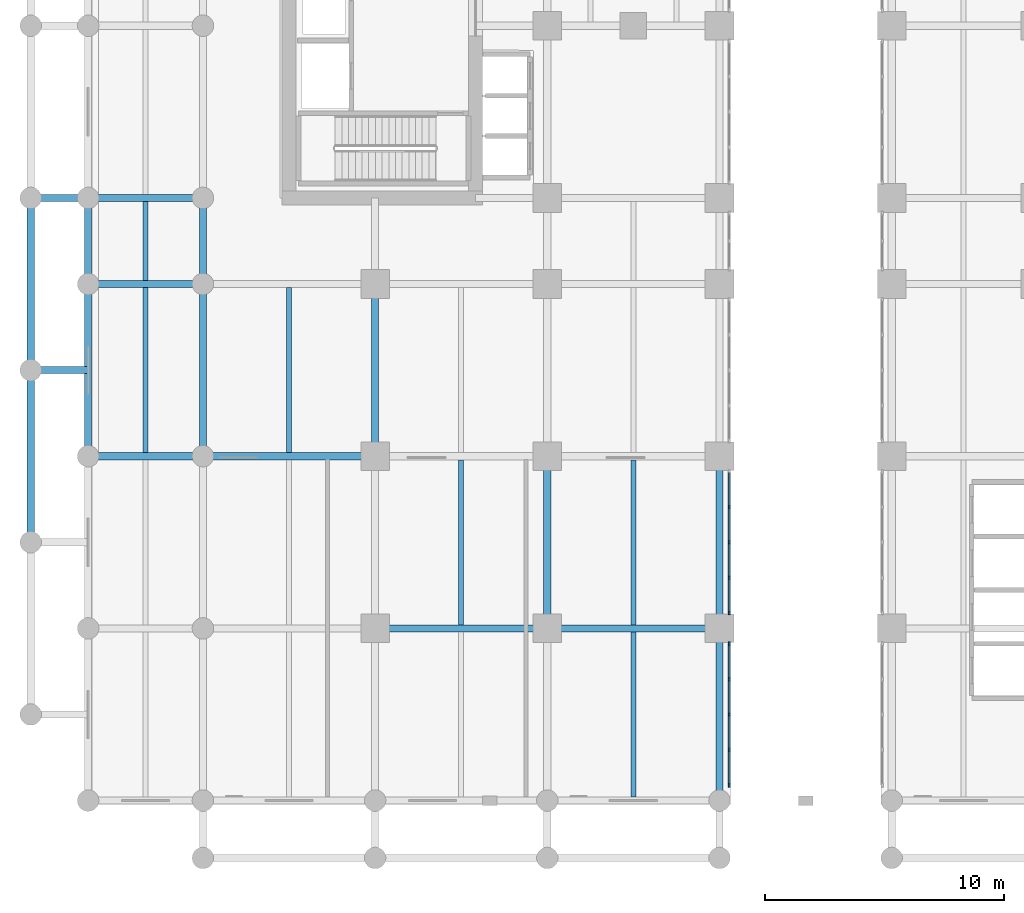
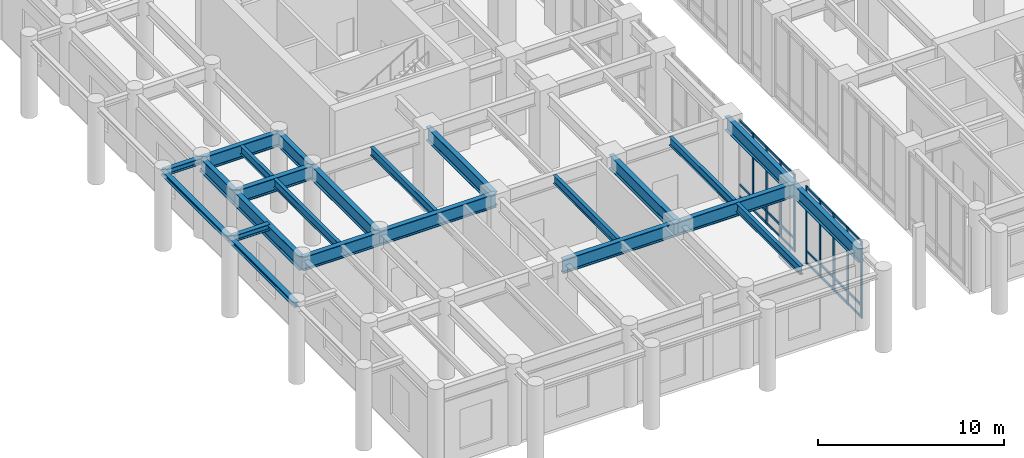
# One storey, part 2 of 23: 33 members, 24 beams, 2 elements without a shape of their own.
"""IFC4 building model written with IfcOpenShell, lengths in metres."""

from ifc_helpers import new_model, si_unit, derived_unit, direction, frame, origin, origin_2d, place, context, subcontext, project, spatial, rectangle, i_section, extrude, source, transform, mapped, material, layer, layer_set, material_profile, profile_set, type_object, type_shapes, element, aggregate, save


model = new_model("IFC4")

# Units and contexts
model_context = context("Model", 3, precision=1e-05, world=origin(), true_north=direction((0.0, 1.0)))
body_context = subcontext(model_context, "Body", "Model", "MODEL_VIEW")
ifc_project = project(units=[si_unit("LENGTHUNIT", "METRE"), si_unit("AREAUNIT", "SQUARE_METRE"), si_unit("VOLUMEUNIT", "CUBIC_METRE"), si_unit("PLANEANGLEUNIT", "RADIAN"), si_unit("MASSUNIT", "GRAM", prefix="KILO"), si_unit("THERMODYNAMICTEMPERATUREUNIT", "KELVIN"), si_unit("POWERUNIT", "WATT"), derived_unit("THERMALTRANSMITTANCEUNIT", [(si_unit("POWERUNIT", "WATT"), 1), (si_unit("AREAUNIT", "SQUARE_METRE"), -1), (si_unit("THERMODYNAMICTEMPERATUREUNIT", "KELVIN"), -1)])], contexts=[model_context])

# Site, building, storey
site_placement = place(None, origin())
site = spatial("IfcSite", under=ifc_project, at=site_placement, CompositionType="ELEMENT")
building_placement = place(site_placement, origin())
building = spatial("IfcBuilding", under=site, at=building_placement, Name="Zahravan Archway Hotel and Residences", CompositionType="ELEMENT")
storey_placement = place(building_placement, frame((0.0, 0.0, 5.39990234375)))
storey = spatial("IfcBuildingStorey", under=building, at=storey_placement, Name="L01", CompositionType="ELEMENT", Elevation=5.39990234375)

# Beams
ifc_material_1 = material(Name="Structural Steel S355J2", Category="steel")
ifc_material_profile_1 = material_profile(ifc_material_1, i_section(OverallWidth=0.300048828125, OverallDepth=0.89990234375, WebThickness=0.0185546875, FlangeThickness=0.034912109375, FilletRadius=0.030029296875, at=origin_2d()), Name="HEB 900", Category="steel")
ifc_profile_set_1 = profile_set([ifc_material_profile_1], Name="Structural Steel S355J2")
beam_type_1 = type_object("IfcBeamType", Name="BM-PRI-HEB900", PredefinedType="BEAM", material=ifc_profile_set_1)
shared_shape_1 = source(origin(), body_context, "Body", "SweptSolid", [
    extrude(i_section(OverallWidth=0.300048828125, OverallDepth=0.89990234375, WebThickness=0.0185546875, FlangeThickness=0.034912109375, FilletRadius=0.030029296875, at=origin_2d()), origin(), (0.0, 0.0, 1.0), 4.800048828125),
])
type_shapes(beam_type_1, [shared_shape_1])
for number, where, z_axis, x_axis, name in (
    (1, (-4.800048828125, 14.39990234375, 4.650146484375), (1.0, 0.0, 0.0), (0.0, 1.0, 0.0), "L01 Primary Girder EW-19"),
    (2, (-4.800048828125, 21.60009765625, 4.650146484375), (1.0, 0.0, 0.0), (0.0, 1.0, 0.0), "L01 Primary Girder EW-27"),
    (3, (-4.800048828125, 25.199951171875, 4.650146484375), (1.0, 0.0, 0.0), (0.0, 1.0, 0.0), "L01 Primary Girder EW-37"),
):
    element("IfcBeam", number, at=place(storey_placement, frame(where, z_axis=z_axis, x_axis=x_axis)), inside=storey, type_object=beam_type_1, Name=name, PredefinedType="BEAM", context=body_context, shape_type="MappedRepresentation", body=[
        mapped(shared_shape_1, transform((0.0, 0.0, 0.0), scale=1.0)),
    ])
shared_shape_2 = source(origin(), body_context, "Body", "SweptSolid", [
    extrude(i_section(OverallWidth=0.300048828125, OverallDepth=0.89990234375, WebThickness=0.0185546875, FlangeThickness=0.034912109375, FilletRadius=0.030029296875, at=origin_2d()), origin(), (0.0, 0.0, 1.0), 7.199951171875),
])
for number, where, z_axis, x_axis, name in (
    (4, (7.199951171875, 7.199951171875, 4.650146484375), (1.0, 0.0, 0.0), (0.0, 1.0, 0.0), "L01 Primary Girder EW-13"),
    (5, (0.0, 14.39990234375, 4.650146484375), (1.0, 0.0, 0.0), (0.0, 1.0, 0.0), "L01 Primary Girder EW-20"),
    (6, (14.39990234375, 7.199951171875, 4.650146484375), (0.0, 1.0, 0.0), (-1.0, 0.0, 0.0), "L01 Primary Girder NS-82"),
    (7, (21.60009765625, 0.0, 4.650146484375), (0.0, 1.0, 0.0), (-1.0, 0.0, 0.0), "L01 Primary Girder NS-88"),
    (8, (21.60009765625, 7.199951171875, 4.650146484375), (0.0, 1.0, 0.0), (-1.0, 0.0, 0.0), "L01 Primary Girder NS-89"),
):
    element("IfcBeam", number, at=place(storey_placement, frame(where, z_axis=z_axis, x_axis=x_axis)), inside=storey, type_object=beam_type_1, Name=name, PredefinedType="BEAM", context=body_context, shape_type="MappedRepresentation", body=[
        mapped(shared_shape_2, transform((0.0, 0.0, 0.0), scale=1.0)),
    ])
shared_shape_3 = source(origin(), body_context, "Body", "SweptSolid", [
    extrude(i_section(OverallWidth=0.300048828125, OverallDepth=0.89990234375, WebThickness=0.0185546875, FlangeThickness=0.034912109375, FilletRadius=0.030029296875, at=origin_2d()), origin(), (0.0, 0.0, 1.0), 7.2001953125),
])
for number, where, z_axis, x_axis, name in (
    (9, (14.39990234375, 7.199951171875, 4.650146484375), (1.0, 0.0, 0.0), (0.0, 1.0, 0.0), "L01 Primary Girder EW-14"),
    (10, (-4.800048828125, 14.39990234375, 4.650146484375), (0.0, 1.0, 0.0), (-1.0, 0.0, 0.0), "L01 Primary Girder NS-64"),
    (11, (0.0, 14.39990234375, 4.650146484375), (0.0, 1.0, 0.0), (-1.0, 0.0, 0.0), "L01 Primary Girder NS-71"),
    (12, (7.199951171875, 14.39990234375, 4.650146484375), (0.0, 1.0, 0.0), (-1.0, 0.0, 0.0), "L01 Primary Girder NS-78"),
):
    element("IfcBeam", number, at=place(storey_placement, frame(where, z_axis=z_axis, x_axis=x_axis)), inside=storey, type_object=beam_type_1, Name=name, PredefinedType="BEAM", context=body_context, shape_type="MappedRepresentation", body=[
        mapped(shared_shape_3, transform((0.0, 0.0, 0.0), scale=1.0)),
    ])
shared_shape_4 = source(origin(), body_context, "Body", "SweptSolid", [
    extrude(i_section(OverallWidth=0.300048828125, OverallDepth=0.89990234375, WebThickness=0.0185546875, FlangeThickness=0.034912109375, FilletRadius=0.030029296875, at=origin_2d()), origin(), (0.0, 0.0, 1.0), 3.599853515625),
])
for number, where, z_axis, x_axis, name in (
    (13, (-4.800048828125, 21.60009765625, 4.650146484375), (0.0, 1.0, 0.0), (-1.0, 0.0, 0.0), "L01 Primary Girder NS-65"),
    (14, (0.0, 21.60009765625, 4.650146484375), (0.0, 1.0, 0.0), (-1.0, 0.0, 0.0), "L01 Primary Girder NS-72"),
):
    element("IfcBeam", number, at=place(storey_placement, frame(where, z_axis=z_axis, x_axis=x_axis)), inside=storey, type_object=beam_type_1, Name=name, PredefinedType="BEAM", context=body_context, shape_type="MappedRepresentation", body=[
        mapped(shared_shape_4, transform((0.0, 0.0, 0.0), scale=1.0)),
    ])
ifc_material_2 = material(Name="Structural Steel S355JR", Category="steel")
ifc_material_profile_2 = material_profile(ifc_material_2, i_section(OverallWidth=0.2099609375, OverallDepth=0.550048828125, WebThickness=0.010986328125, FlangeThickness=0.01708984375, FilletRadius=0.02392578125, at=origin_2d()), Name="IPE 550", Category="steel")
ifc_profile_set_2 = profile_set([ifc_material_profile_2], Name="Structural Steel S355JR")
beam_type_2 = type_object("IfcBeamType", Name="BM-JST-IPE550", PredefinedType="JOIST", material=ifc_profile_set_2)
shared_shape_5 = source(origin(), body_context, "Body", "SweptSolid", [
    extrude(i_section(OverallWidth=0.2099609375, OverallDepth=0.550048828125, WebThickness=0.010986328125, FlangeThickness=0.01708984375, FilletRadius=0.02392578125, at=origin_2d()), origin(), (0.0, 0.0, 1.0), 6.904052734375),
])
type_shapes(beam_type_2, [shared_shape_5])
for number, where, z_axis, x_axis, name in (
    (15, (18.0, 0.14794921875, 4.8251953125), (0.0, 1.0, 0.0), (-1.0, 0.0, 0.0), "L01 Composite Floor Joist 04"),
    (16, (10.800048828125, 7.347900390625, 4.8251953125), (0.0, 1.0, 0.0), (-1.0, 0.0, 0.0), "L01 Composite Floor Joist 11"),
    (17, (18.0, 7.347900390625, 4.8251953125), (0.0, 1.0, 0.0), (-1.0, 0.0, 0.0), "L01 Composite Floor Joist 12"),
):
    element("IfcBeam", number, at=place(storey_placement, frame(where, z_axis=z_axis, x_axis=x_axis)), inside=storey, type_object=beam_type_2, Name=name, PredefinedType="JOIST", context=body_context, shape_type="MappedRepresentation", body=[
        mapped(shared_shape_5, transform((0.0, 0.0, 0.0), scale=1.0)),
    ])
shared_shape_6 = source(origin(), body_context, "Body", "SweptSolid", [
    extrude(i_section(OverallWidth=0.2099609375, OverallDepth=0.550048828125, WebThickness=0.010986328125, FlangeThickness=0.01708984375, FilletRadius=0.02392578125, at=origin_2d()), origin(), (0.0, 0.0, 1.0), 6.90380859375),
])
for number, where, z_axis, x_axis, name in (
    (18, (-2.39990234375, 14.548095703125, 4.8251953125), (0.0, 1.0, 0.0), (-1.0, 0.0, 0.0), "L01 Composite Floor Joist 17"),
    (19, (3.60009765625, 14.548095703125, 4.8251953125), (0.0, 1.0, 0.0), (-1.0, 0.0, 0.0), "L01 Composite Floor Joist 18"),
):
    element("IfcBeam", number, at=place(storey_placement, frame(where, z_axis=z_axis, x_axis=x_axis)), inside=storey, type_object=beam_type_2, Name=name, PredefinedType="JOIST", context=body_context, shape_type="MappedRepresentation", body=[
        mapped(shared_shape_6, transform((0.0, 0.0, 0.0), scale=1.0)),
    ])
shared_shape_7 = source(origin(), body_context, "Body", "SweptSolid", [
    extrude(i_section(OverallWidth=0.2099609375, OverallDepth=0.550048828125, WebThickness=0.010986328125, FlangeThickness=0.01708984375, FilletRadius=0.02392578125, at=origin_2d()), origin(), (0.0, 0.0, 1.0), 3.303955078125),
])
beam_placement = place(storey_placement, frame((-2.39990234375, 21.748046875, 4.8251953125), z_axis=(0.0, 1.0, 0.0), x_axis=(-1.0, 0.0, 0.0)))
element("IfcBeam", 20, at=beam_placement, inside=storey, type_object=beam_type_2, Name="L01 Composite Floor Joist 25", PredefinedType="JOIST", context=body_context, shape_type="MappedRepresentation", body=[
    mapped(shared_shape_7, transform((0.0, 0.0, 0.0), scale=1.0)),
])
ifc_material_profile_3 = material_profile(ifc_material_2, i_section(OverallWidth=0.300048828125, OverallDepth=0.39990234375, WebThickness=0.013427734375, FlangeThickness=0.02392578125, FilletRadius=0.027099609375, at=origin_2d()), Name="HEB 400", Category="steel")
ifc_profile_set_3 = profile_set([ifc_material_profile_3], Name="Structural Steel S355JR")
beam_type_3 = type_object("IfcBeamType", Name="BM-PRI-HEB400", PredefinedType="BEAM", material=ifc_profile_set_3)
shared_shape_8 = source(origin(), body_context, "Body", "SweptSolid", [
    extrude(i_section(OverallWidth=0.300048828125, OverallDepth=0.39990234375, WebThickness=0.013427734375, FlangeThickness=0.02392578125, FilletRadius=0.027099609375, at=origin_2d()), origin(), (0.0, 0.0, 1.0), 2.39990234375),
])
for number, where, z_axis, x_axis, name in (
    (21, (-7.199951171875, 18.0, 4.900146484375), (1.0, 0.0, 0.0), (0.0, 1.0, 0.0), "L01 West Colonnade Tie Girder 3"),
    (22, (-7.199951171875, 25.199951171875, 4.900146484375), (1.0, 0.0, 0.0), (0.0, 1.0, 0.0), "L01 West Colonnade Tie Girder 4"),
):
    element("IfcBeam", number, at=place(storey_placement, frame(where, z_axis=z_axis, x_axis=x_axis)), inside=storey, type_object=beam_type_3, Name=name, PredefinedType="BEAM", context=body_context, shape_type="MappedRepresentation", body=[
        mapped(shared_shape_8, transform((0.0, 0.0, 0.0), scale=1.0)),
    ])
ifc_material_profile_4 = material_profile(ifc_material_2, i_section(OverallWidth=0.300048828125, OverallDepth=0.320068359375, WebThickness=0.011474609375, FlangeThickness=0.0205078125, FilletRadius=0.027099609375, at=origin_2d()), Name="HEB 320", Category="steel")
ifc_profile_set_4 = profile_set([ifc_material_profile_4], Name="Structural Steel S355JR")
beam_type_4 = type_object("IfcBeamType", Name="BM-SPN-HEB320", PredefinedType="SPANDREL", material=ifc_profile_set_4)
shared_shape_9 = source(origin(), body_context, "Body", "SweptSolid", [
    extrude(i_section(OverallWidth=0.300048828125, OverallDepth=0.320068359375, WebThickness=0.011474609375, FlangeThickness=0.0205078125, FilletRadius=0.027099609375, at=origin_2d()), origin(), (0.0, 0.0, 1.0), 7.199951171875),
])
type_shapes(beam_type_4, [shared_shape_9])
for number, where, z_axis, x_axis, name in (
    (23, (-7.199951171875, 10.800048828125, 4.940185546875), (0.0, 1.0, 0.0), (-1.0, 0.0, 0.0), "L01 West Colonnade Spandrel 2"),
    (24, (-7.199951171875, 18.0, 4.940185546875), (0.0, 1.0, 0.0), (-1.0, 0.0, 0.0), "L01 West Colonnade Spandrel 3"),
):
    element("IfcBeam", number, at=place(storey_placement, frame(where, z_axis=z_axis, x_axis=x_axis)), inside=storey, type_object=beam_type_4, Name=name, PredefinedType="SPANDREL", context=body_context, shape_type="MappedRepresentation", body=[
        mapped(shared_shape_9, transform((0.0, 0.0, 0.0), scale=1.0)),
    ])

# Curtain wall, members
ifc_material_3 = material(Name="Bronze-Anodized Unitised Aluminium & Low-E Glass", Category="aluminium")
ifc_layer = layer(ifc_material_3, 0.179931640625, Name="Bronze-Anodized Unitised Aluminium & Low-E Glass", Category="aluminium")
ifc_layer_set = layer_set([ifc_layer], Name="Bronze-Anodized Unitised Aluminium & Low-E Glass")
curtain_wall_type = type_object("IfcCurtainWallType", Name="CW-POD-ARCH", PredefinedType="NOTDEFINED", material=ifc_layer_set)
curtain_wall_1_placement = place(storey_placement, origin())
curtain_wall_1 = element("IfcCurtainWall", 25, at=curtain_wall_1_placement, inside=storey, type_object=curtain_wall_type, Name="L01 Curtain Wall CW-PORTW-L01-1", PredefinedType="NOTDEFINED")
ifc_material_4 = material(Name="Bronze-Anodized Extruded Aluminium", Category="aluminium")
ifc_material_profile_5 = material_profile(ifc_material_4, rectangle(XDim=0.080078125, YDim=0.159912109375, at=origin_2d()), Name="MUL 80x160", Category="aluminium")
ifc_profile_set_5 = profile_set([ifc_material_profile_5], Name="Bronze-Anodized Extruded Aluminium")
member_type_1 = type_object("IfcMemberType", Name="CWM-MUL-160", PredefinedType="MULLION", material=ifc_profile_set_5)
shared_shape_10 = source(origin(), body_context, "Body", "SweptSolid", [
    extrude(rectangle(XDim=0.080078125, YDim=0.159912109375, at=origin_2d()), origin(), (0.0, 0.0, 1.0), 5.10009765625),
])
member_1_placement = place(storey_placement, frame((22.0, 0.645263671875, 0.0), z_axis=(0.0, 0.0, 1.0), x_axis=(1.0, 0.0, 0.0)))
member_1 = element("IfcMember", 26, at=member_1_placement, type_object=member_type_1, Name="CW-PORTW-L01-1 Mullion 0", PredefinedType="MULLION", context=body_context, shape_type="MappedRepresentation", body=[
    mapped(shared_shape_10, transform((0.0, 0.0, 0.0), scale=1.0)),
])
member_2_placement = place(storey_placement, frame((22.0, 2.12255859375, 0.0), z_axis=(0.0, 0.0, 1.0), x_axis=(1.0, 0.0, 0.0)))
member_2 = element("IfcMember", 27, at=member_2_placement, type_object=member_type_1, Name="CW-PORTW-L01-1 Mullion 1", PredefinedType="MULLION", context=body_context, shape_type="MappedRepresentation", body=[
    mapped(shared_shape_10, transform((0.0, 0.0, 0.0), scale=1.0)),
])
member_3_placement = place(storey_placement, frame((22.0, 3.60009765625, 0.0), z_axis=(0.0, 0.0, 1.0), x_axis=(1.0, 0.0, 0.0)))
member_3 = element("IfcMember", 28, at=member_3_placement, type_object=member_type_1, Name="CW-PORTW-L01-1 Mullion 2", PredefinedType="MULLION", context=body_context, shape_type="MappedRepresentation", body=[
    mapped(shared_shape_10, transform((0.0, 0.0, 0.0), scale=1.0)),
])
member_4_placement = place(storey_placement, frame((22.0, 5.077392578125, 0.0), z_axis=(0.0, 0.0, 1.0), x_axis=(1.0, 0.0, 0.0)))
member_4 = element("IfcMember", 29, at=member_4_placement, type_object=member_type_1, Name="CW-PORTW-L01-1 Mullion 3", PredefinedType="MULLION", context=body_context, shape_type="MappedRepresentation", body=[
    mapped(shared_shape_10, transform((0.0, 0.0, 0.0), scale=1.0)),
])
member_5_placement = place(storey_placement, frame((22.0, 6.5546875, 0.0), z_axis=(0.0, 0.0, 1.0), x_axis=(1.0, 0.0, 0.0)))
member_5 = element("IfcMember", 30, at=member_5_placement, type_object=member_type_1, Name="CW-PORTW-L01-1 Mullion 4", PredefinedType="MULLION", context=body_context, shape_type="MappedRepresentation", body=[
    mapped(shared_shape_10, transform((0.0, 0.0, 0.0), scale=1.0)),
])

curtain_wall_2_placement = place(storey_placement, origin())
curtain_wall_2 = element("IfcCurtainWall", 31, at=curtain_wall_2_placement, inside=storey, type_object=curtain_wall_type, Name="L01 Curtain Wall CW-PORTW-L01-2", PredefinedType="NOTDEFINED")
member_6_placement = place(storey_placement, frame((22.0, 7.84521484375, 0.0), z_axis=(0.0, 0.0, 1.0), x_axis=(1.0, 0.0, 0.0)))
member_6 = element("IfcMember", 32, at=member_6_placement, type_object=member_type_1, Name="CW-PORTW-L01-2 Mullion 0", PredefinedType="MULLION", context=body_context, shape_type="MappedRepresentation", body=[
    mapped(shared_shape_10, transform((0.0, 0.0, 0.0), scale=1.0)),
])
member_7_placement = place(storey_placement, frame((22.0, 9.322509765625, 0.0), z_axis=(0.0, 0.0, 1.0), x_axis=(1.0, 0.0, 0.0)))
member_7 = element("IfcMember", 33, at=member_7_placement, type_object=member_type_1, Name="CW-PORTW-L01-2 Mullion 1", PredefinedType="MULLION", context=body_context, shape_type="MappedRepresentation", body=[
    mapped(shared_shape_10, transform((0.0, 0.0, 0.0), scale=1.0)),
])
member_8_placement = place(storey_placement, frame((22.0, 10.800048828125, 0.0), z_axis=(0.0, 0.0, 1.0), x_axis=(1.0, 0.0, 0.0)))
member_8 = element("IfcMember", 34, at=member_8_placement, type_object=member_type_1, Name="CW-PORTW-L01-2 Mullion 2", PredefinedType="MULLION", context=body_context, shape_type="MappedRepresentation", body=[
    mapped(shared_shape_10, transform((0.0, 0.0, 0.0), scale=1.0)),
])
member_9_placement = place(storey_placement, frame((22.0, 12.27734375, 0.0), z_axis=(0.0, 0.0, 1.0), x_axis=(1.0, 0.0, 0.0)))
member_9 = element("IfcMember", 35, at=member_9_placement, type_object=member_type_1, Name="CW-PORTW-L01-2 Mullion 3", PredefinedType="MULLION", context=body_context, shape_type="MappedRepresentation", body=[
    mapped(shared_shape_10, transform((0.0, 0.0, 0.0), scale=1.0)),
])

# Member
ifc_material_profile_6 = material_profile(ifc_material_4, rectangle(XDim=0.080078125, YDim=0.139892578125, at=origin_2d()), Name="TRN 80x140", Category="aluminium")
ifc_profile_set_6 = profile_set([ifc_material_profile_6], Name="Bronze-Anodized Extruded Aluminium")
member_type_2 = type_object("IfcMemberType", Name="CWM-TRN-140", PredefinedType="USERDEFINED", material=ifc_profile_set_6)
shared_shape_11 = source(origin(), body_context, "Body", "SweptSolid", [
    extrude(rectangle(XDim=0.080078125, YDim=0.139892578125, at=origin_2d()), origin(), (0.0, 0.0, 1.0), 1.397216796875),
])
member_10_placement = place(storey_placement, frame((22.0, 0.685302734375, 0.070068359375), z_axis=(0.0, 1.0, 0.0), x_axis=(-1.0, 0.0, 0.0)))
member_10 = element("IfcMember", 36, at=member_10_placement, type_object=member_type_2, Name="CW-PORTW-L01-1 Transom 0-1", ObjectType="TRANSOM", PredefinedType="USERDEFINED", context=body_context, shape_type="MappedRepresentation", body=[
    mapped(shared_shape_11, transform((0.0, 0.0, 0.0), scale=1.0)),
])

member_11_placement = place(storey_placement, frame((22.0, 0.685302734375, 0.85009765625), z_axis=(0.0, 1.0, 0.0), x_axis=(-1.0, 0.0, 0.0)))
member_11 = element("IfcMember", 37, at=member_11_placement, type_object=member_type_2, Name="CW-PORTW-L01-1 Transom 0-2", ObjectType="TRANSOM", PredefinedType="USERDEFINED", context=body_context, shape_type="MappedRepresentation", body=[
    mapped(shared_shape_11, transform((0.0, 0.0, 0.0), scale=1.0)),
])

member_12_placement = place(storey_placement, frame((22.0, 0.685302734375, 5.030029296875), z_axis=(0.0, 1.0, 0.0), x_axis=(-1.0, 0.0, 0.0)))
member_12 = element("IfcMember", 38, at=member_12_placement, type_object=member_type_2, Name="CW-PORTW-L01-1 Transom 0-3", ObjectType="TRANSOM", PredefinedType="USERDEFINED", context=body_context, shape_type="MappedRepresentation", body=[
    mapped(shared_shape_11, transform((0.0, 0.0, 0.0), scale=1.0)),
])

member_13_placement = place(storey_placement, frame((22.0, 10.840087890625, 0.070068359375), z_axis=(0.0, 1.0, 0.0), x_axis=(-1.0, 0.0, 0.0)))
member_13 = element("IfcMember", 39, at=member_13_placement, type_object=member_type_2, Name="CW-PORTW-L01-2 Transom 2-1", ObjectType="TRANSOM", PredefinedType="USERDEFINED", context=body_context, shape_type="MappedRepresentation", body=[
    mapped(shared_shape_11, transform((0.0, 0.0, 0.0), scale=1.0)),
])

member_14_placement = place(storey_placement, frame((22.0, 10.840087890625, 0.85009765625), z_axis=(0.0, 1.0, 0.0), x_axis=(-1.0, 0.0, 0.0)))
member_14 = element("IfcMember", 40, at=member_14_placement, type_object=member_type_2, Name="CW-PORTW-L01-2 Transom 2-2", ObjectType="TRANSOM", PredefinedType="USERDEFINED", context=body_context, shape_type="MappedRepresentation", body=[
    mapped(shared_shape_11, transform((0.0, 0.0, 0.0), scale=1.0)),
])

member_15_placement = place(storey_placement, frame((22.0, 10.840087890625, 5.030029296875), z_axis=(0.0, 1.0, 0.0), x_axis=(-1.0, 0.0, 0.0)))
member_15 = element("IfcMember", 41, at=member_15_placement, type_object=member_type_2, Name="CW-PORTW-L01-2 Transom 2-3", ObjectType="TRANSOM", PredefinedType="USERDEFINED", context=body_context, shape_type="MappedRepresentation", body=[
    mapped(shared_shape_11, transform((0.0, 0.0, 0.0), scale=1.0)),
])

shared_shape_12 = source(origin(), body_context, "Body", "SweptSolid", [
    extrude(rectangle(XDim=0.080078125, YDim=0.139892578125, at=origin_2d()), origin(), (0.0, 0.0, 1.0), 1.3974609375),
])
member_16_placement = place(storey_placement, frame((22.0, 2.16259765625, 0.070068359375), z_axis=(0.0, 1.0, 0.0), x_axis=(-1.0, 0.0, 0.0)))
member_16 = element("IfcMember", 42, at=member_16_placement, type_object=member_type_2, Name="CW-PORTW-L01-1 Transom 1-1", ObjectType="TRANSOM", PredefinedType="USERDEFINED", context=body_context, shape_type="MappedRepresentation", body=[
    mapped(shared_shape_12, transform((0.0, 0.0, 0.0), scale=1.0)),
])

member_17_placement = place(storey_placement, frame((22.0, 2.16259765625, 0.85009765625), z_axis=(0.0, 1.0, 0.0), x_axis=(-1.0, 0.0, 0.0)))
member_17 = element("IfcMember", 43, at=member_17_placement, type_object=member_type_2, Name="CW-PORTW-L01-1 Transom 1-2", ObjectType="TRANSOM", PredefinedType="USERDEFINED", context=body_context, shape_type="MappedRepresentation", body=[
    mapped(shared_shape_12, transform((0.0, 0.0, 0.0), scale=1.0)),
])

member_18_placement = place(storey_placement, frame((22.0, 2.16259765625, 5.030029296875), z_axis=(0.0, 1.0, 0.0), x_axis=(-1.0, 0.0, 0.0)))
member_18 = element("IfcMember", 44, at=member_18_placement, type_object=member_type_2, Name="CW-PORTW-L01-1 Transom 1-3", ObjectType="TRANSOM", PredefinedType="USERDEFINED", context=body_context, shape_type="MappedRepresentation", body=[
    mapped(shared_shape_12, transform((0.0, 0.0, 0.0), scale=1.0)),
])

member_19_placement = place(storey_placement, frame((22.0, 3.639892578125, 0.070068359375), z_axis=(0.0, 1.0, 0.0), x_axis=(-1.0, 0.0, 0.0)))
member_19 = element("IfcMember", 45, at=member_19_placement, type_object=member_type_2, Name="CW-PORTW-L01-1 Transom 2-1", ObjectType="TRANSOM", PredefinedType="USERDEFINED", context=body_context, shape_type="MappedRepresentation", body=[
    mapped(shared_shape_12, transform((0.0, 0.0, 0.0), scale=1.0)),
])

member_20_placement = place(storey_placement, frame((22.0, 3.639892578125, 0.85009765625), z_axis=(0.0, 1.0, 0.0), x_axis=(-1.0, 0.0, 0.0)))
member_20 = element("IfcMember", 46, at=member_20_placement, type_object=member_type_2, Name="CW-PORTW-L01-1 Transom 2-2", ObjectType="TRANSOM", PredefinedType="USERDEFINED", context=body_context, shape_type="MappedRepresentation", body=[
    mapped(shared_shape_12, transform((0.0, 0.0, 0.0), scale=1.0)),
])

member_21_placement = place(storey_placement, frame((22.0, 3.639892578125, 5.030029296875), z_axis=(0.0, 1.0, 0.0), x_axis=(-1.0, 0.0, 0.0)))
member_21 = element("IfcMember", 47, at=member_21_placement, type_object=member_type_2, Name="CW-PORTW-L01-1 Transom 2-3", ObjectType="TRANSOM", PredefinedType="USERDEFINED", context=body_context, shape_type="MappedRepresentation", body=[
    mapped(shared_shape_12, transform((0.0, 0.0, 0.0), scale=1.0)),
])

member_22_placement = place(storey_placement, frame((22.0, 5.117431640625, 0.070068359375), z_axis=(0.0, 1.0, 0.0), x_axis=(-1.0, 0.0, 0.0)))
member_22 = element("IfcMember", 48, at=member_22_placement, type_object=member_type_2, Name="CW-PORTW-L01-1 Transom 3-1", ObjectType="TRANSOM", PredefinedType="USERDEFINED", context=body_context, shape_type="MappedRepresentation", body=[
    mapped(shared_shape_12, transform((0.0, 0.0, 0.0), scale=1.0)),
])

member_23_placement = place(storey_placement, frame((22.0, 5.117431640625, 0.85009765625), z_axis=(0.0, 1.0, 0.0), x_axis=(-1.0, 0.0, 0.0)))
member_23 = element("IfcMember", 49, at=member_23_placement, type_object=member_type_2, Name="CW-PORTW-L01-1 Transom 3-2", ObjectType="TRANSOM", PredefinedType="USERDEFINED", context=body_context, shape_type="MappedRepresentation", body=[
    mapped(shared_shape_12, transform((0.0, 0.0, 0.0), scale=1.0)),
])

member_24_placement = place(storey_placement, frame((22.0, 5.117431640625, 5.030029296875), z_axis=(0.0, 1.0, 0.0), x_axis=(-1.0, 0.0, 0.0)))
member_24 = element("IfcMember", 50, at=member_24_placement, type_object=member_type_2, Name="CW-PORTW-L01-1 Transom 3-3", ObjectType="TRANSOM", PredefinedType="USERDEFINED", context=body_context, shape_type="MappedRepresentation", body=[
    mapped(shared_shape_12, transform((0.0, 0.0, 0.0), scale=1.0)),
])

aggregate(curtain_wall_1, [member_1, member_2, member_3, member_4, member_5, member_10, member_11, member_12, member_16, member_17, member_18, member_19, member_20, member_21, member_22, member_23, member_24])

member_25_placement = place(storey_placement, frame((22.0, 7.88525390625, 0.070068359375), z_axis=(0.0, 1.0, 0.0), x_axis=(-1.0, 0.0, 0.0)))
member_25 = element("IfcMember", 51, at=member_25_placement, type_object=member_type_2, Name="CW-PORTW-L01-2 Transom 0-1", ObjectType="TRANSOM", PredefinedType="USERDEFINED", context=body_context, shape_type="MappedRepresentation", body=[
    mapped(shared_shape_12, transform((0.0, 0.0, 0.0), scale=1.0)),
])

member_26_placement = place(storey_placement, frame((22.0, 7.88525390625, 0.85009765625), z_axis=(0.0, 1.0, 0.0), x_axis=(-1.0, 0.0, 0.0)))
member_26 = element("IfcMember", 52, at=member_26_placement, type_object=member_type_2, Name="CW-PORTW-L01-2 Transom 0-2", ObjectType="TRANSOM", PredefinedType="USERDEFINED", context=body_context, shape_type="MappedRepresentation", body=[
    mapped(shared_shape_12, transform((0.0, 0.0, 0.0), scale=1.0)),
])

member_27_placement = place(storey_placement, frame((22.0, 7.88525390625, 5.030029296875), z_axis=(0.0, 1.0, 0.0), x_axis=(-1.0, 0.0, 0.0)))
member_27 = element("IfcMember", 53, at=member_27_placement, type_object=member_type_2, Name="CW-PORTW-L01-2 Transom 0-3", ObjectType="TRANSOM", PredefinedType="USERDEFINED", context=body_context, shape_type="MappedRepresentation", body=[
    mapped(shared_shape_12, transform((0.0, 0.0, 0.0), scale=1.0)),
])

member_28_placement = place(storey_placement, frame((22.0, 9.362548828125, 0.070068359375), z_axis=(0.0, 1.0, 0.0), x_axis=(-1.0, 0.0, 0.0)))
member_28 = element("IfcMember", 54, at=member_28_placement, type_object=member_type_2, Name="CW-PORTW-L01-2 Transom 1-1", ObjectType="TRANSOM", PredefinedType="USERDEFINED", context=body_context, shape_type="MappedRepresentation", body=[
    mapped(shared_shape_12, transform((0.0, 0.0, 0.0), scale=1.0)),
])

member_29_placement = place(storey_placement, frame((22.0, 9.362548828125, 0.85009765625), z_axis=(0.0, 1.0, 0.0), x_axis=(-1.0, 0.0, 0.0)))
member_29 = element("IfcMember", 55, at=member_29_placement, type_object=member_type_2, Name="CW-PORTW-L01-2 Transom 1-2", ObjectType="TRANSOM", PredefinedType="USERDEFINED", context=body_context, shape_type="MappedRepresentation", body=[
    mapped(shared_shape_12, transform((0.0, 0.0, 0.0), scale=1.0)),
])

member_30_placement = place(storey_placement, frame((22.0, 9.362548828125, 5.030029296875), z_axis=(0.0, 1.0, 0.0), x_axis=(-1.0, 0.0, 0.0)))
member_30 = element("IfcMember", 56, at=member_30_placement, type_object=member_type_2, Name="CW-PORTW-L01-2 Transom 1-3", ObjectType="TRANSOM", PredefinedType="USERDEFINED", context=body_context, shape_type="MappedRepresentation", body=[
    mapped(shared_shape_12, transform((0.0, 0.0, 0.0), scale=1.0)),
])

member_31_placement = place(storey_placement, frame((22.0, 12.3173828125, 0.070068359375), z_axis=(0.0, 1.0, 0.0), x_axis=(-1.0, 0.0, 0.0)))
member_31 = element("IfcMember", 57, at=member_31_placement, type_object=member_type_2, Name="CW-PORTW-L01-2 Transom 3-1", ObjectType="TRANSOM", PredefinedType="USERDEFINED", context=body_context, shape_type="MappedRepresentation", body=[
    mapped(shared_shape_12, transform((0.0, 0.0, 0.0), scale=1.0)),
])

member_32_placement = place(storey_placement, frame((22.0, 12.3173828125, 0.85009765625), z_axis=(0.0, 1.0, 0.0), x_axis=(-1.0, 0.0, 0.0)))
member_32 = element("IfcMember", 58, at=member_32_placement, type_object=member_type_2, Name="CW-PORTW-L01-2 Transom 3-2", ObjectType="TRANSOM", PredefinedType="USERDEFINED", context=body_context, shape_type="MappedRepresentation", body=[
    mapped(shared_shape_12, transform((0.0, 0.0, 0.0), scale=1.0)),
])

member_33_placement = place(storey_placement, frame((22.0, 12.3173828125, 5.030029296875), z_axis=(0.0, 1.0, 0.0), x_axis=(-1.0, 0.0, 0.0)))
member_33 = element("IfcMember", 59, at=member_33_placement, type_object=member_type_2, Name="CW-PORTW-L01-2 Transom 3-3", ObjectType="TRANSOM", PredefinedType="USERDEFINED", context=body_context, shape_type="MappedRepresentation", body=[
    mapped(shared_shape_12, transform((0.0, 0.0, 0.0), scale=1.0)),
])

aggregate(curtain_wall_2, [member_6, member_7, member_8, member_9, member_25, member_26, member_27, member_28, member_29, member_30, member_13, member_14, member_15, member_31, member_32, member_33])

save(model, "model.ifc")
